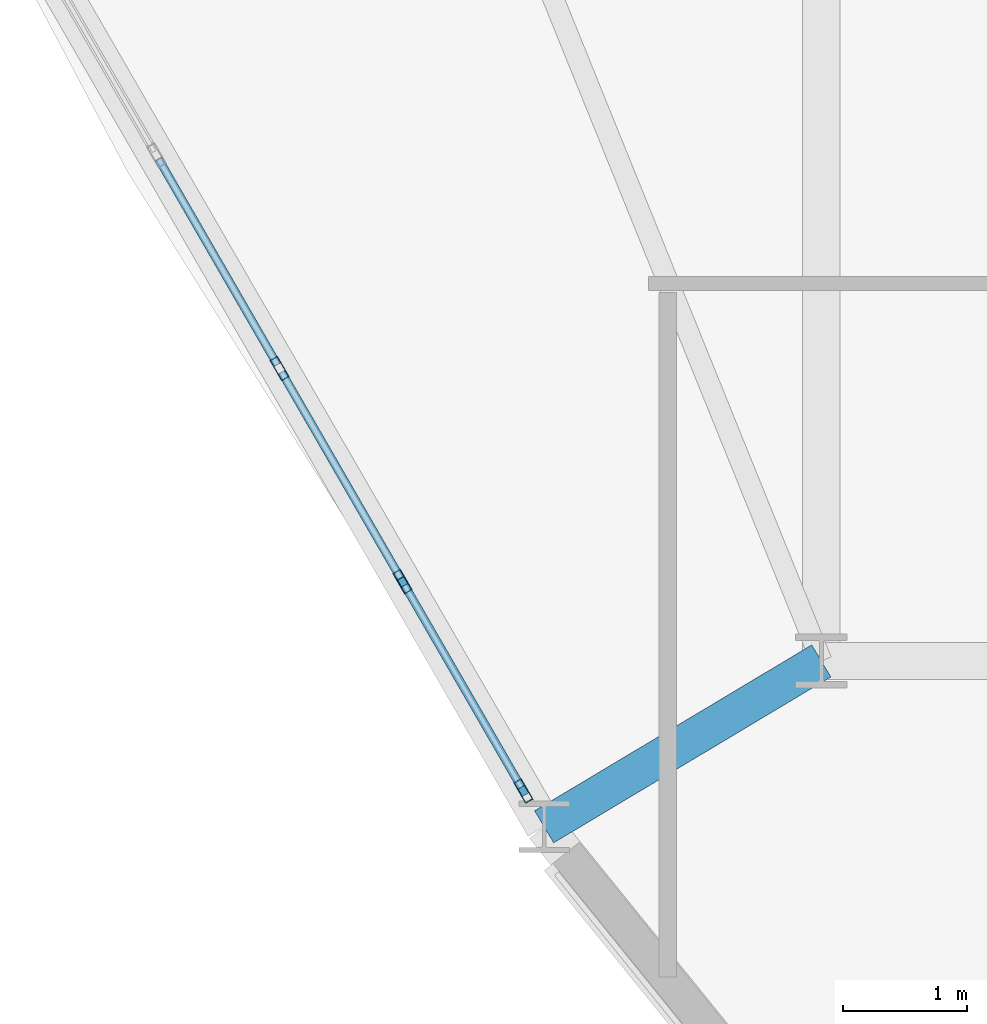
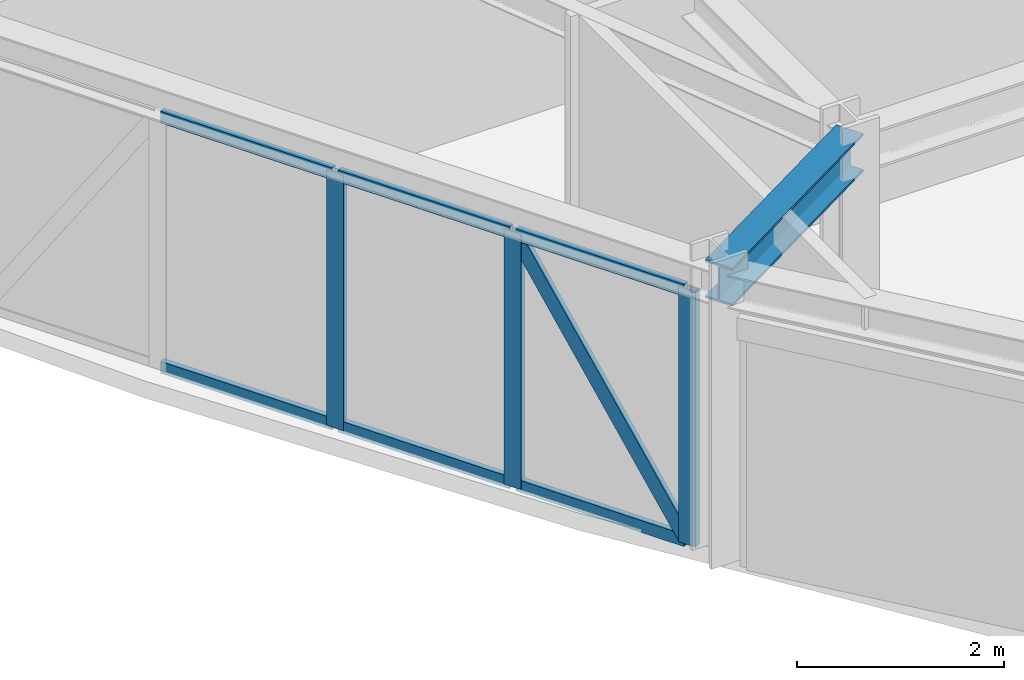
# One storey, part 2 of 14: 10 members, 1 beam, 1 element without a shape of its own.
"""IFC4 building model written with IfcOpenShell, lengths in metres."""

from ifc_helpers import new_model, si_unit, derived_unit, direction, frame, origin, origin_2d, place, context, subcontext, project, spatial, hollow_rectangle, i_section, extrude, source, transform, mapped, material, layer, layer_set, material_profile, profile_set, type_object, element, aggregate, save


model = new_model("IFC4")

# Units and contexts
model_context = context("Model", 3, precision=1e-05, world=origin(), true_north=direction((0.0, 1.0)))
body_context = subcontext(model_context, "Body", "Model", "MODEL_VIEW")
ifc_project = project(units=[si_unit("LENGTHUNIT", "METRE"), si_unit("AREAUNIT", "SQUARE_METRE"), si_unit("VOLUMEUNIT", "CUBIC_METRE"), si_unit("PLANEANGLEUNIT", "RADIAN"), si_unit("MASSUNIT", "GRAM", prefix="KILO"), derived_unit("THERMALTRANSMITTANCEUNIT", [(si_unit("POWERUNIT", "WATT"), 1), (si_unit("LENGTHUNIT", "METRE"), -2), (si_unit("THERMODYNAMICTEMPERATUREUNIT", "KELVIN"), -1)])], contexts=[model_context])

# Site, building, storey
site_placement = place(None, origin())
site = spatial("IfcSite", under=ifc_project, at=site_placement, CompositionType="ELEMENT")
building_placement = place(site_placement, origin())
building = spatial("IfcBuilding", under=site, at=building_placement, Name="Korsvarv Bourse and Concert Hall", CompositionType="ELEMENT")
storey_placement = place(building_placement, frame((0.0, 0.0, 193.800048828125)))
storey = spatial("IfcBuildingStorey", under=building, at=storey_placement, Name="L50", CompositionType="ELEMENT", Elevation=193.800048828125)

# Beam
ifc_material_1 = material(Name="Steel S355", Category="steel")
ifc_material_profile_1 = material_profile(ifc_material_1, i_section(OverallWidth=0.300048828125, OverallDepth=0.449951171875, WebThickness=0.013916015625, FlangeThickness=0.02587890625, FilletRadius=0.02099609375, at=origin_2d()), Name="HEB 450")
ifc_profile_set_1 = profile_set([ifc_material_profile_1], Name="Steel S355")
beam_type = type_object("IfcBeamType", Name="BM-HEB450", PredefinedType="SPANDREL", material=ifc_profile_set_1)
shared_shape_1 = source(origin(), body_context, "Body", "SweptSolid", [
    extrude(i_section(OverallWidth=0.300048828125, OverallDepth=0.449951171875, WebThickness=0.013916015625, FlangeThickness=0.02587890625, FilletRadius=0.02099609375, at=origin_2d()), origin(), (0.0, 0.0, 1.0), 2.59765625),
])
beam_placement = place(storey_placement, frame((25.37109375, 22.666015625, 3.175048828125), z_axis=(0.858072868624, 0.513527946787, 0.0), x_axis=(-0.513527946787, 0.858072868624, 0.0)))
element("IfcBeam", 1, at=beam_placement, inside=storey, type_object=beam_type, Name="L50 beam B-08", PredefinedType="SPANDREL", context=body_context, shape_type="MappedRepresentation", body=[
    mapped(shared_shape_1, transform((0.0, 0.0, 0.0), scale=1.0)),
])

# Curtain wall, members
ifc_material_2 = material(Name="Anodised aluminium and triple low-E glazing", Category="glass")
ifc_layer = layer(ifc_material_2, 0.199951171875)
ifc_layer_set = layer_set([ifc_layer], Name="Anodised aluminium and triple low-E glazing")
curtain_wall_type = type_object("IfcCurtainWallType", Name="CW-SYS-3", PredefinedType="NOTDEFINED", material=ifc_layer_set)
curtain_wall_placement = place(storey_placement, origin())
curtain_wall = element("IfcCurtainWall", 2, at=curtain_wall_placement, inside=storey, type_object=curtain_wall_type, Name="L50 CW3 curtain wall CW-L50-F07", PredefinedType="NOTDEFINED")
ifc_material_3 = material(Name="Extruded aluminium EN AW-6063 T66", Category="aluminium")
ifc_material_profile_2 = material_profile(ifc_material_3, hollow_rectangle(XDim=0.06494140625, YDim=0.139892578125, WallThickness=0.00390625, at=origin_2d()), Name="ALU-T 65x140")
ifc_profile_set_2 = profile_set([ifc_material_profile_2], Name="Extruded aluminium EN AW-6063 T66")
member_type_1 = type_object("IfcMemberType", Name="CWT-140", PredefinedType="USERDEFINED", material=ifc_profile_set_2)
shared_shape_2 = source(origin(), body_context, "Body", "SweptSolid", [
    extrude(hollow_rectangle(XDim=0.06494140625, YDim=0.139892578125, WallThickness=0.00390625, at=origin_2d()), origin(), (0.0, 0.0, 1.0), 1.908447265625),
])
member_1_placement = place(storey_placement, frame((22.272216796875, 28.033935546875, 0.032470703125), z_axis=(0.499936548189, -0.866062034606, 0.0), x_axis=(0.866062034606, 0.499936548189, 0.0)))
member_1 = element("IfcMember", 3, at=member_1_placement, type_object=member_type_1, Name="CW3 transom 4.1", ObjectType="TRANSOM", PredefinedType="USERDEFINED", context=body_context, shape_type="MappedRepresentation", body=[
    mapped(shared_shape_2, transform((0.0, 0.0, 0.0), scale=1.0)),
])
member_2_placement = place(storey_placement, frame((22.272216796875, 28.033935546875, 2.9775390625), z_axis=(0.499936548189, -0.866062034606, 0.0), x_axis=(0.866062034606, 0.499936548189, 0.0)))
member_2 = element("IfcMember", 4, at=member_2_placement, type_object=member_type_1, Name="CW3 transom 4.2", ObjectType="TRANSOM", PredefinedType="USERDEFINED", context=body_context, shape_type="MappedRepresentation", body=[
    mapped(shared_shape_2, transform((0.0, 0.0, 0.0), scale=1.0)),
])
member_3_placement = place(storey_placement, frame((23.26123046875, 26.320556640625, 0.032470703125), z_axis=(0.500032491935, -0.866006643745, 0.0), x_axis=(0.866006643745, 0.500032491935, 0.0)))
member_3 = element("IfcMember", 5, at=member_3_placement, type_object=member_type_1, Name="CW3 transom 5.1", ObjectType="TRANSOM", PredefinedType="USERDEFINED", context=body_context, shape_type="MappedRepresentation", body=[
    mapped(shared_shape_2, transform((0.0, 0.0, 0.0), scale=1.0)),
])
member_4_placement = place(storey_placement, frame((23.26123046875, 26.320556640625, 2.9775390625), z_axis=(0.500032491935, -0.866006643745, 0.0), x_axis=(0.866006643745, 0.500032491935, 0.0)))
member_4 = element("IfcMember", 6, at=member_4_placement, type_object=member_type_1, Name="CW3 transom 5.2", ObjectType="TRANSOM", PredefinedType="USERDEFINED", context=body_context, shape_type="MappedRepresentation", body=[
    mapped(shared_shape_2, transform((0.0, 0.0, 0.0), scale=1.0)),
])
ifc_material_profile_3 = material_profile(ifc_material_3, hollow_rectangle(XDim=0.070068359375, YDim=0.18994140625, WallThickness=0.0048828125, at=origin_2d()), Name="ALU-M 70x190")
ifc_profile_set_3 = profile_set([ifc_material_profile_3], Name="Extruded aluminium EN AW-6063 T66")
member_type_2 = type_object("IfcMemberType", Name="CWM-190", PredefinedType="MULLION", material=ifc_profile_set_3)
shared_shape_3 = source(origin(), body_context, "Body", "SweptSolid", [
    extrude(hollow_rectangle(XDim=0.070068359375, YDim=0.18994140625, WallThickness=0.0048828125, at=origin_2d()), origin(), (0.0, 0.0, 1.0), 3.010009765625),
])
member_5_placement = place(storey_placement, frame((23.243896484375, 26.350830078125, 0.0), z_axis=(0.0, 0.0, 1.0), x_axis=(0.866029726531, 0.499992512708, 0.0)))
member_5 = element("IfcMember", 7, at=member_5_placement, type_object=member_type_2, Name="CW3 mullion 5", PredefinedType="MULLION", context=body_context, shape_type="MappedRepresentation", body=[
    mapped(shared_shape_3, transform((0.0, 0.0, 0.0), scale=1.0)),
])
member_6_placement = place(storey_placement, frame((24.23291015625, 24.637451171875, 0.0), z_axis=(0.0, 0.0, 1.0), x_axis=(0.866029726531, 0.499992512708, 0.0)))
member_6 = element("IfcMember", 8, at=member_6_placement, type_object=member_type_2, Name="CW3 mullion 6", PredefinedType="MULLION", context=body_context, shape_type="MappedRepresentation", body=[
    mapped(shared_shape_3, transform((0.0, 0.0, 0.0), scale=1.0)),
])
member_7_placement = place(storey_placement, frame((25.20458984375, 22.954345703125, 0.0), z_axis=(0.0, 0.0, 1.0), x_axis=(0.866029726531, 0.499992512708, 0.0)))
member_7 = element("IfcMember", 9, at=member_7_placement, type_object=member_type_2, Name="CW3 mullion 7", PredefinedType="MULLION", context=body_context, shape_type="MappedRepresentation", body=[
    mapped(shared_shape_3, transform((0.0, 0.0, 0.0), scale=1.0)),
])
shared_shape_4 = source(origin(), body_context, "Body", "SweptSolid", [
    extrude(hollow_rectangle(XDim=0.06494140625, YDim=0.139892578125, WallThickness=0.00390625, at=origin_2d()), origin(), (0.0, 0.0, 1.0), 1.87353515625),
])
member_8_placement = place(storey_placement, frame((24.25048828125, 24.607177734375, 0.032470703125), z_axis=(0.49999316964, -0.866029347258, 0.0), x_axis=(0.866029347258, 0.49999316964, 0.0)))
member_8 = element("IfcMember", 10, at=member_8_placement, type_object=member_type_1, Name="CW3 transom 6.1", ObjectType="TRANSOM", PredefinedType="USERDEFINED", context=body_context, shape_type="MappedRepresentation", body=[
    mapped(shared_shape_4, transform((0.0, 0.0, 0.0), scale=1.0)),
])
member_9_placement = place(storey_placement, frame((24.25048828125, 24.607177734375, 2.9775390625), z_axis=(0.49999316964, -0.866029347258, 0.0), x_axis=(0.866029347258, 0.49999316964, 0.0)))
member_9 = element("IfcMember", 11, at=member_9_placement, type_object=member_type_1, Name="CW3 transom 6.2", ObjectType="TRANSOM", PredefinedType="USERDEFINED", context=body_context, shape_type="MappedRepresentation", body=[
    mapped(shared_shape_4, transform((0.0, 0.0, 0.0), scale=1.0)),
])
ifc_material_profile_4 = material_profile(ifc_material_3, hollow_rectangle(XDim=0.06494140625, YDim=0.1650390625, WallThickness=0.0048828125, at=origin_2d()), Name="ALU-M 65x165")
ifc_profile_set_4 = profile_set([ifc_material_profile_4], Name="Extruded aluminium EN AW-6063 T66")
member_type_3 = type_object("IfcMemberType", Name="CWM-165", PredefinedType="MULLION", material=ifc_profile_set_4)
shared_shape_5 = source(origin(), body_context, "Body", "SweptSolid", [
    extrude(hollow_rectangle(XDim=0.06494140625, YDim=0.1650390625, WallThickness=0.0048828125, at=origin_2d()), origin(), (0.0, 0.0, 1.0), 3.435791015625),
])
member_10_placement = place(storey_placement, frame((25.187255859375, 22.984619140625, 0.06494140625), z_axis=(-0.272641656914, 0.472237803453, 0.83824697071), x_axis=(-0.866029347258, -0.49999316964, 0.0)))
member_10 = element("IfcMember", 12, at=member_10_placement, type_object=member_type_3, Name="CW3 diagonal mullion 6", PredefinedType="MULLION", context=body_context, shape_type="MappedRepresentation", body=[
    mapped(shared_shape_5, transform((0.0, 0.0, 0.0), scale=1.0)),
])
aggregate(curtain_wall, [member_5, member_6, member_7, member_1, member_2, member_3, member_4, member_8, member_9, member_10])

save(model, "model.ifc")
